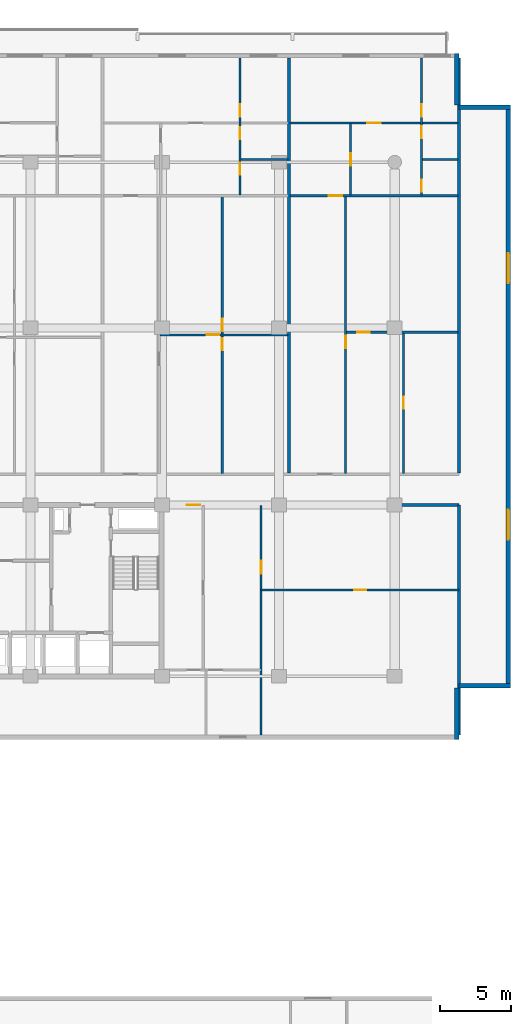
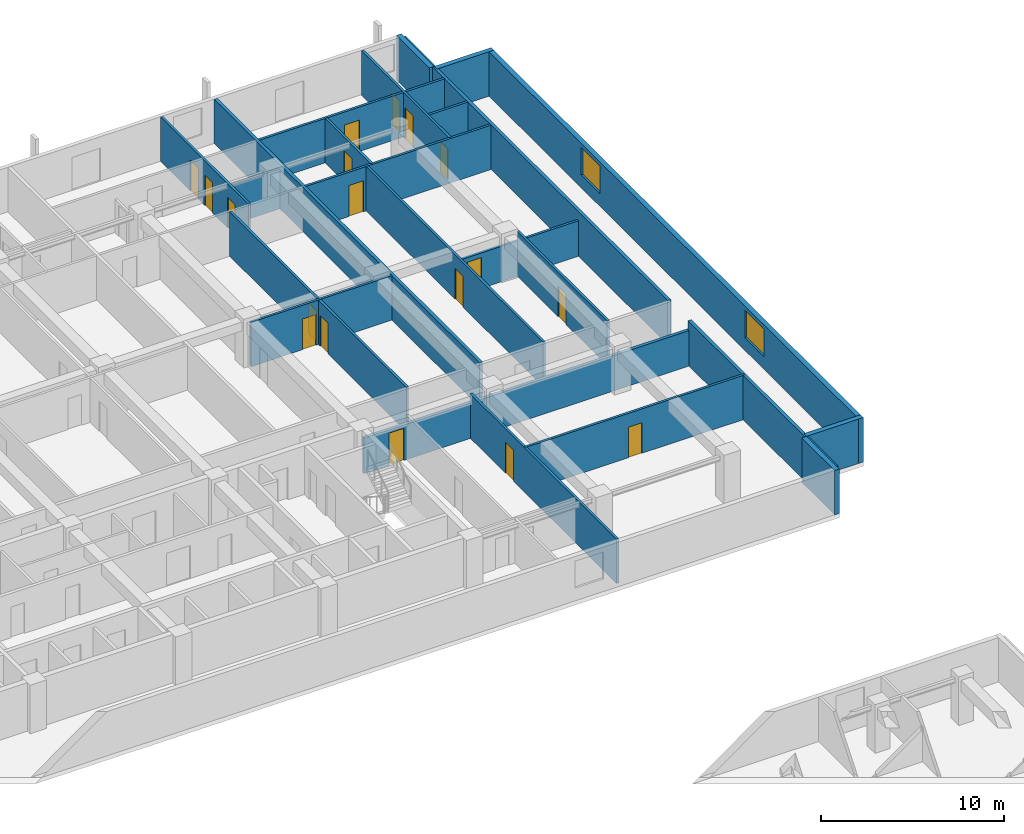
# One storey, part 17 of 23: 23 walls, 18 doors, 2 windows, 20 openings.
"""IFC4 building model written with IfcOpenShell, lengths in metres."""

from ifc_helpers import new_model, si_unit, direction, frame, frame_2d, origin, place, context, subcontext, project, spatial, rectangle, extrude, material, layer, layer_set, type_object, element, fill, save


model = new_model("IFC4")

# Units and contexts
model_context = context("Model", 3, precision=1e-05, world=origin(), true_north=direction((0.0, 1.0)))
body_context = subcontext(model_context, "Body", "Model", "MODEL_VIEW")
ifc_project = project(units=[si_unit("LENGTHUNIT", "METRE"), si_unit("AREAUNIT", "SQUARE_METRE"), si_unit("VOLUMEUNIT", "CUBIC_METRE"), si_unit("PLANEANGLEUNIT", "RADIAN"), si_unit("MASSUNIT", "GRAM", prefix="KILO")], contexts=[model_context])

# Site, building, storey
site_placement = place(None, origin())
site = spatial("IfcSite", under=ifc_project, at=site_placement, CompositionType="ELEMENT")
building_placement = place(site_placement, origin())
building = spatial("IfcBuilding", under=site, at=building_placement, Name="Korimba Cascade Residences", CompositionType="ELEMENT")
storey_placement = place(building_placement, frame((0.0, 0.0, 72.75)))
storey = spatial("IfcBuildingStorey", under=building, at=storey_placement, Name="L20", CompositionType="ELEMENT", Elevation=72.75)

# Walls
ifc_material_1 = material(Name="Precast concrete C40/50", Category="concrete")
ifc_layer_1 = layer(ifc_material_1, 0.300048828125)
ifc_layer_set_1 = layer_set([ifc_layer_1], Name="Precast concrete C40/50")
wall_type_1 = type_object("IfcWallType", Name="EW-STONE-300", PredefinedType="STANDARD", material=ifc_layer_set_1)
wall_1_placement = place(storey_placement, frame((132.75, 50.800048828125, 0.0), z_axis=(0.0, 0.0, 1.0), x_axis=(0.0, 1.0, 0.0)))
element("IfcWall", 1, at=wall_1_placement, inside=storey, type_object=wall_type_1, Name="L20 T1 Perimeter Stone Wall E01", PredefinedType="STANDARD", context=body_context, shape_type="SweptSolid", body=[
    extrude(rectangle(XDim=3.599853515625, YDim=0.300048828125, at=frame_2d((1.7998046875, 0.0))), origin(), (0.0, 0.0, 1.0), 2.969970703125),
])
wall_2_placement = place(storey_placement, frame((132.89990234375, 54.550048828125, 0.0), z_axis=(0.0, 0.0, 1.0), x_axis=(1.0, 0.0, 0.0)))
element("IfcWall", 2, at=wall_2_placement, inside=storey, type_object=wall_type_1, Name="L20 T1 Perimeter Stone Wall E02", PredefinedType="STANDARD", context=body_context, shape_type="SweptSolid", body=[
    extrude(rectangle(XDim=3.60009765625, YDim=0.300048828125, at=frame_2d((1.800048828125, 0.0))), origin(), (0.0, 0.0, 1.0), 2.969970703125),
])

# Wall, openings, windows
wall_3_placement = place(storey_placement, frame((136.35009765625, 54.39990234375, 0.0), z_axis=(0.0, 0.0, 1.0), x_axis=(0.0, 1.0, 0.0)))
wall_3 = element("IfcWall", 3, at=wall_3_placement, inside=storey, type_object=wall_type_1, Name="L20 T1 Perimeter Stone Wall E03", PredefinedType="STANDARD", context=body_context, shape_type="SweptSolid", body=[
    extrude(rectangle(XDim=40.800048828125, YDim=0.300048828125, at=frame_2d((20.39990234375, 0.0))), origin(), (0.0, 0.0, 1.0), 2.969970703125),
])
opening_1_placement = place(wall_3_placement, frame((10.3740234375, 0.0, 0.85009765625)))
opening_1 = element("IfcOpeningElement", 4, at=opening_1_placement, cuts=wall_3, Name="Opening W-03", PredefinedType="OPENING", context=body_context, shape_type="SweptSolid", body=[
    extrude(rectangle(XDim=2.10009765625, YDim=1.85009765625, at=frame_2d((1.050048828125, 0.925048828125))), frame((0.0, 0.16015625, 0.0), z_axis=(0.0, -1.0, 0.0), x_axis=(1.0, 0.0, 0.0)), (0.0, 0.0, 1.0), 0.320068359375),
])
opening_2_placement = place(wall_3_placement, frame((28.325927734375, 0.0, 0.85009765625)))
opening_2 = element("IfcOpeningElement", 5, at=opening_2_placement, cuts=wall_3, Name="Opening W-03", PredefinedType="OPENING", context=body_context, shape_type="SweptSolid", body=[
    extrude(rectangle(XDim=2.10009765625, YDim=1.85009765625, at=frame_2d((1.050048828125, 0.925048828125))), frame((0.0, 0.16015625, 0.0), z_axis=(0.0, -1.0, 0.0), x_axis=(1.0, 0.0, 0.0)), (0.0, 0.0, 1.0), 0.320068359375),
])
ifc_material_2 = material(Name="Double-Glazed Aluminium Window", Category="aluminium")
window_type = type_object("IfcWindowType", Name="WIN-CRN-2100", PartitioningType="DOUBLE_PANEL_HORIZONTAL", PredefinedType="WINDOW", material=ifc_material_2)
window_1_placement = place(opening_1_placement, origin())
window_1 = element("IfcWindow", 6, at=window_1_placement, inside=storey, type_object=window_type, Name="L20 T1 End View Window 3.1", OverallHeight=1.85009765625, OverallWidth=2.10009765625, PartitioningType="DOUBLE_PANEL_HORIZONTAL", PredefinedType="WINDOW", context=body_context, shape_type="SweptSolid", body=[
    extrude(rectangle(XDim=2.10009765625, YDim=1.85009765625, at=frame_2d((1.050048828125, 0.925048828125))), frame((0.0, 0.030029296875, 0.0), z_axis=(0.0, -1.0, 0.0), x_axis=(1.0, 0.0, 0.0)), (0.0, 0.0, 1.0), 0.06005859375),
])
fill(opening_1, window_1)
window_2_placement = place(opening_2_placement, origin())
window_2 = element("IfcWindow", 7, at=window_2_placement, inside=storey, type_object=window_type, Name="L20 T1 End View Window 3.2", OverallHeight=1.85009765625, OverallWidth=2.10009765625, PartitioningType="DOUBLE_PANEL_HORIZONTAL", PredefinedType="WINDOW", context=body_context, shape_type="SweptSolid", body=[
    extrude(rectangle(XDim=2.10009765625, YDim=1.85009765625, at=frame_2d((1.050048828125, 0.925048828125))), frame((0.0, 0.030029296875, 0.0), z_axis=(0.0, -1.0, 0.0), x_axis=(1.0, 0.0, 0.0)), (0.0, 0.0, 1.0), 0.06005859375),
])
fill(opening_2, window_2)

# Walls
for number, where, z_axis, x_axis, name in (
    (8, (136.5, 95.050048828125, 0.0), (0.0, 0.0, 1.0), (-1.0, 0.0, 0.0), "L20 T1 Perimeter Stone Wall E04"),
    (9, (132.75, 95.199951171875, 0.0), (0.0, 0.0, 1.0), (0.0, 1.0, 0.0), "L20 T1 Perimeter Stone Wall E05"),
):
    element("IfcWall", number, at=place(storey_placement, frame(where, z_axis=z_axis, x_axis=x_axis)), inside=storey, type_object=wall_type_1, Name=name, PredefinedType="STANDARD", context=body_context, shape_type="SweptSolid", body=[
        extrude(rectangle(XDim=3.60009765625, YDim=0.300048828125, at=frame_2d((1.800048828125, 0.0))), origin(), (0.0, 0.0, 1.0), 2.969970703125),
    ])
ifc_layer_2 = layer(ifc_material_1, 0.199951171875)
ifc_layer_set_2 = layer_set([ifc_layer_2], Name="Precast concrete C40/50")
wall_type_2 = type_object("IfcWallType", Name="WAL-IT-200", PredefinedType="PARTITIONING", material=ifc_layer_set_2)
wall_4_placement = place(storey_placement, frame((132.89990234375, 51.10009765625, 0.0), z_axis=(0.0, 0.0, 1.0), x_axis=(0.0, 1.0, 0.0)))
element("IfcWall", 10, at=wall_4_placement, inside=storey, type_object=wall_type_2, Name="L20 Partition Wall WAL-L20-T1-FE-WR", PredefinedType="PARTITIONING", context=body_context, shape_type="SweptSolid", body=[
    extrude(rectangle(XDim=16.099853515625, YDim=0.199951171875, at=frame_2d((8.0498046875, 0.0))), origin(), (0.0, 0.0, 1.0), 2.969970703125),
])

# Wall, opening, door
wall_5_placement = place(storey_placement, frame((112.25, 67.199951171875, 0.0), z_axis=(0.0, 0.0, 1.0), x_axis=(1.0, 0.0, 0.0)))
wall_5 = element("IfcWall", 11, at=wall_5_placement, inside=storey, type_object=wall_type_2, Name="L20 Partition Wall WAL-L20-T1-FE-N", PredefinedType="PARTITIONING", context=body_context, shape_type="SweptSolid", body=[
    extrude(rectangle(XDim=20.64990234375, YDim=0.199951171875, at=frame_2d((10.324951171875, 0.0))), origin(), (0.0, 0.0, 1.0), 2.3701171875),
])
opening_3_placement = place(wall_5_placement, frame((1.580078125, 0.0, 0.0)))
opening_3 = element("IfcOpeningElement", 12, at=opening_3_placement, cuts=wall_5, Name="Opening D-UN1", PredefinedType="OPENING", context=body_context, shape_type="SweptSolid", body=[
    extrude(rectangle(XDim=0.949951171875, YDim=2.14990234375, at=frame_2d((0.47509765625, 1.074951171875))), frame((0.0, 0.10986328125, 0.0), z_axis=(0.0, -1.0, 0.0), x_axis=(1.0, 0.0, 0.0)), (0.0, 0.0, 1.0), 0.219970703125),
])
ifc_material_3 = material(Name="Fire-Rated Hardwood Apartment Entrance Door", Category="wood")
door_type_1 = type_object("IfcDoorType", Name="DR-FD60-950", OperationType="NOTDEFINED", PredefinedType="DOOR", material=ifc_material_3)
door_1_placement = place(opening_3_placement, origin())
door_1 = element("IfcDoor", 13, at=door_1_placement, inside=storey, type_object=door_type_1, Name="L20-T1-FE Entrance Door", OperationType="SINGLE_SWING_RIGHT", OverallHeight=2.14990234375, OverallWidth=0.949951171875, PredefinedType="DOOR", context=body_context, shape_type="SweptSolid", body=[
    extrude(rectangle(XDim=0.949951171875, YDim=2.14990234375, at=frame_2d((0.47509765625, 1.074951171875))), frame((0.0, 0.02490234375, 0.0), z_axis=(0.0, -1.0, 0.0), x_axis=(1.0, 0.0, 0.0)), (0.0, 0.0, 1.0), 0.050048828125),
])
fill(opening_3, door_1)

# Walls
for number, where, z_axis, x_axis, name in (
    (14, (132.89990234375, 69.429931640625, 0.0), (0.0, 0.0, 1.0), (0.0, 1.0, 0.0), "L20 Partition Wall WAL-L20-T1-BNDWR"),
    (15, (120.99755859375, 69.429931640625, 0.0), (0.0, 0.0, 1.0), (0.0, 1.0, 0.0), "L20 Partition Wall WAL-L20-T1-DEM-4"),
):
    element("IfcWall", number, at=place(storey_placement, frame(where, z_axis=z_axis, x_axis=x_axis)), inside=storey, type_object=wall_type_2, Name=name, PredefinedType="PARTITIONING", context=body_context, shape_type="SweptSolid", body=[
        extrude(rectangle(XDim=29.070068359375, YDim=0.199951171875, at=frame_2d((14.53515625, 0.0))), origin(), (0.0, 0.0, 1.0), 2.969970703125),
    ])

# Wall, opening, door
ifc_material_4 = material(Name="Insulated Acoustic Stud Partition", Category="gypsum")
ifc_layer_3 = layer(ifc_material_4, 0.14990234375)
ifc_layer_set_3 = layer_set([ifc_layer_3], Name="Insulated Acoustic Stud Partition")
wall_type_3 = type_object("IfcWallType", Name="WAL-PART-150", PredefinedType="PARTITIONING", material=ifc_layer_set_3)
wall_6_placement = place(storey_placement, frame((119.050048828125, 61.25, 0.0), z_axis=(0.0, 0.0, 1.0), x_axis=(1.0, 0.0, 0.0)))
wall_6 = element("IfcWall", 16, at=wall_6_placement, inside=storey, type_object=wall_type_3, Name="L20 Partition Wall WAL-L20-T1-FE-STH", PredefinedType="PARTITIONING", context=body_context, shape_type="SweptSolid", body=[
    extrude(rectangle(XDim=13.849853515625, YDim=0.14990234375, at=frame_2d((6.9248046875, 0.0))), origin(), (0.0, 0.0, 1.0), 2.969970703125),
])
opening_4_placement = place(wall_6_placement, frame((6.5048828125, 0.0, 0.0)))
opening_4 = element("IfcOpeningElement", 17, at=opening_4_placement, cuts=wall_6, Name="Opening D-BT1", PredefinedType="OPENING", context=body_context, shape_type="SweptSolid", body=[
    extrude(rectangle(XDim=0.840087890625, YDim=2.0400390625, at=frame_2d((0.419921875, 1.02001953125))), frame((0.0, 0.0849609375, 0.0), z_axis=(0.0, -1.0, 0.0), x_axis=(1.0, 0.0, 0.0)), (0.0, 0.0, 1.0), 0.169921875),
])
ifc_material_5 = material(Name="Moisture-Resistant Bathroom Timber Door", Category="wood")
door_type_2 = type_object("IfcDoorType", Name="DR-INT-850", OperationType="NOTDEFINED", PredefinedType="DOOR", material=ifc_material_5)
door_2_placement = place(opening_4_placement, origin())
door_2 = element("IfcDoor", 18, at=door_2_placement, inside=storey, type_object=door_type_2, Name="L20-T1-FE Dressing Store Door", OperationType="SINGLE_SWING_LEFT", OverallHeight=2.0400390625, OverallWidth=0.840087890625, PredefinedType="DOOR", context=body_context, shape_type="SweptSolid", body=[
    extrude(rectangle(XDim=0.840087890625, YDim=2.0400390625, at=frame_2d((0.419921875, 1.02001953125))), frame((0.0, 0.02490234375, 0.0), z_axis=(0.0, -1.0, 0.0), x_axis=(1.0, 0.0, 0.0)), (0.0, 0.0, 1.0), 0.050048828125),
])
fill(opening_4, door_2)

wall_7_placement = place(storey_placement, frame((119.050048828125, 51.10009765625, 0.0), z_axis=(0.0, 0.0, 1.0), x_axis=(0.0, 1.0, 0.0)))
wall_7 = element("IfcWall", 19, at=wall_7_placement, inside=storey, type_object=wall_type_3, Name="L20 Partition Wall WAL-L20-T1-FE-STV", PredefinedType="PARTITIONING", context=body_context, shape_type="SweptSolid", body=[
    extrude(rectangle(XDim=16.0498046875, YDim=0.14990234375, at=frame_2d((8.02490234375, 0.0))), origin(), (0.0, 0.0, 1.0), 2.969970703125),
])
opening_5_placement = place(wall_7_placement, frame((11.300048828125, 0.0, 0.0)))
opening_5 = element("IfcOpeningElement", 20, at=opening_5_placement, cuts=wall_7, Name="Opening D-IN2", PredefinedType="OPENING", context=body_context, shape_type="SweptSolid", body=[
    extrude(rectangle(XDim=0.8798828125, YDim=2.06005859375, at=frame_2d((0.43994140625, 1.030029296875))), frame((0.0, 0.0849609375, 0.0), z_axis=(0.0, -1.0, 0.0), x_axis=(1.0, 0.0, 0.0)), (0.0, 0.0, 1.0), 0.169921875),
])
ifc_material_6 = material(Name="Acoustic Timber Bedroom Door", Category="wood")
door_type_3 = type_object("IfcDoorType", Name="DR-INT-880", OperationType="NOTDEFINED", PredefinedType="DOOR", material=ifc_material_6)
door_3_placement = place(opening_5_placement, origin())
door_3 = element("IfcDoor", 21, at=door_3_placement, inside=storey, type_object=door_type_3, Name="L20-T1-FE Study Door", OperationType="SINGLE_SWING_RIGHT", OverallHeight=2.06005859375, OverallWidth=0.8798828125, PredefinedType="DOOR", context=body_context, shape_type="SweptSolid", body=[
    extrude(rectangle(XDim=0.8798828125, YDim=2.06005859375, at=frame_2d((0.43994140625, 1.030029296875))), frame((0.0, 0.02490234375, 0.0), z_axis=(0.0, -1.0, 0.0), x_axis=(1.0, 0.0, 0.0)), (0.0, 0.0, 1.0), 0.050048828125),
])
fill(opening_5, door_3)

# Wall, openings, doors
wall_8_placement = place(storey_placement, frame((116.328125, 69.409912109375, 0.0), z_axis=(0.0, 0.0, 1.0), x_axis=(0.0, 1.0, 0.0)))
wall_8 = element("IfcWall", 22, at=wall_8_placement, inside=storey, type_object=wall_type_3, Name="L20 Partition Wall WAL-L20-T1-U04-FMV", PredefinedType="PARTITIONING", context=body_context, shape_type="SweptSolid", body=[
    extrude(rectangle(XDim=19.400146484375, YDim=0.14990234375, at=frame_2d((9.7001953125, 0.0))), origin(), (0.0, 0.0, 1.0), 2.969970703125),
])
opening_6_placement = place(wall_8_placement, frame((8.610107421875, 0.0, 0.0)))
opening_6 = element("IfcOpeningElement", 23, at=opening_6_placement, cuts=wall_8, Name="Opening D-BT1", PredefinedType="OPENING", context=body_context, shape_type="SweptSolid", body=[
    extrude(rectangle(XDim=0.840087890625, YDim=2.0400390625, at=frame_2d((0.419921875, 1.02001953125))), frame((0.0, 0.0849609375, 0.0), z_axis=(0.0, -1.0, 0.0), x_axis=(1.0, 0.0, 0.0)), (0.0, 0.0, 1.0), 0.169921875),
])
opening_7_placement = place(wall_8_placement, frame((9.949951171875, 0.0, 0.0)))
opening_7 = element("IfcOpeningElement", 24, at=opening_7_placement, cuts=wall_8, Name="Opening D-IN2", PredefinedType="OPENING", context=body_context, shape_type="SweptSolid", body=[
    extrude(rectangle(XDim=0.8798828125, YDim=2.06005859375, at=frame_2d((0.43994140625, 1.030029296875))), frame((0.0, 0.0849609375, 0.0), z_axis=(0.0, -1.0, 0.0), x_axis=(1.0, 0.0, 0.0)), (0.0, 0.0, 1.0), 0.169921875),
])
door_4_placement = place(opening_6_placement, origin())
door_4 = element("IfcDoor", 25, at=door_4_placement, inside=storey, type_object=door_type_2, Name="L20-T1-U04 Wardrobe Door", OperationType="SINGLE_SWING_RIGHT", OverallHeight=2.0400390625, OverallWidth=0.840087890625, PredefinedType="DOOR", context=body_context, shape_type="SweptSolid", body=[
    extrude(rectangle(XDim=0.840087890625, YDim=2.0400390625, at=frame_2d((0.419921875, 1.02001953125))), frame((0.0, 0.02490234375, 0.0), z_axis=(0.0, -1.0, 0.0), x_axis=(1.0, 0.0, 0.0)), (0.0, 0.0, 1.0), 0.050048828125),
])
fill(opening_6, door_4)
door_5_placement = place(opening_7_placement, origin())
door_5 = element("IfcDoor", 26, at=door_5_placement, inside=storey, type_object=door_type_3, Name="L20-T1-U04 Music Lounge Door", OperationType="SINGLE_SWING_LEFT", OverallHeight=2.06005859375, OverallWidth=0.8798828125, PredefinedType="DOOR", context=body_context, shape_type="SweptSolid", body=[
    extrude(rectangle(XDim=0.8798828125, YDim=2.06005859375, at=frame_2d((0.43994140625, 1.030029296875))), frame((0.0, 0.02490234375, 0.0), z_axis=(0.0, -1.0, 0.0), x_axis=(1.0, 0.0, 0.0)), (0.0, 0.0, 1.0), 0.050048828125),
])
fill(opening_7, door_5)

# Wall, opening, door
wall_9_placement = place(storey_placement, frame((111.978759765625, 79.110107421875, 0.0), z_axis=(0.0, 0.0, 1.0), x_axis=(1.0, 0.0, 0.0)))
wall_9 = element("IfcWall", 27, at=wall_9_placement, inside=storey, type_object=wall_type_3, Name="L20 Partition Wall WAL-L20-T1-U04-FMH", PredefinedType="PARTITIONING", context=body_context, shape_type="SweptSolid", body=[
    extrude(rectangle(XDim=8.938720703125, YDim=0.14990234375, at=frame_2d((4.46923828125, 0.0))), origin(), (0.0, 0.0, 1.0), 2.969970703125),
])
opening_8_placement = place(wall_9_placement, frame((3.24951171875, 0.0, 0.0)))
opening_8 = element("IfcOpeningElement", 28, at=opening_8_placement, cuts=wall_9, Name="Opening D-IN2", PredefinedType="OPENING", context=body_context, shape_type="SweptSolid", body=[
    extrude(rectangle(XDim=0.8798828125, YDim=2.06005859375, at=frame_2d((0.43994140625, 1.030029296875))), frame((0.0, 0.0849609375, 0.0), z_axis=(0.0, -1.0, 0.0), x_axis=(1.0, 0.0, 0.0)), (0.0, 0.0, 1.0), 0.169921875),
])
door_6_placement = place(opening_8_placement, origin())
door_6 = element("IfcDoor", 29, at=door_6_placement, inside=storey, type_object=door_type_3, Name="L20-T1-U04 Library Salon Door", OperationType="SINGLE_SWING_RIGHT", OverallHeight=2.06005859375, OverallWidth=0.8798828125, PredefinedType="DOOR", context=body_context, shape_type="SweptSolid", body=[
    extrude(rectangle(XDim=0.8798828125, YDim=2.06005859375, at=frame_2d((0.43994140625, 1.030029296875))), frame((0.0, 0.02490234375, 0.0), z_axis=(0.0, -1.0, 0.0), x_axis=(1.0, 0.0, 0.0)), (0.0, 0.0, 1.0), 0.050048828125),
])
fill(opening_8, door_6)

# Wall
wall_10_placement = place(storey_placement, frame((117.637451171875, 91.389892578125, 0.0), z_axis=(0.0, 0.0, 1.0), x_axis=(1.0, 0.0, 0.0)))
element("IfcWall", 30, at=wall_10_placement, inside=storey, type_object=wall_type_3, Name="L20 Partition Wall WAL-L20-T1-U04-BLDIV", PredefinedType="PARTITIONING", context=body_context, shape_type="SweptSolid", body=[
    extrude(rectangle(XDim=3.280029296875, YDim=0.14990234375, at=frame_2d((1.64013671875, 0.0))), origin(), (0.0, 0.0, 1.0), 2.663330078125),
])

# Wall, openings, doors
wall_11_placement = place(storey_placement, frame((117.577392578125, 88.889892578125, 0.0), z_axis=(0.0, 0.0, 1.0), x_axis=(0.0, 1.0, 0.0)))
wall_11 = element("IfcWall", 31, at=wall_11_placement, inside=storey, type_object=wall_type_3, Name="L20 Partition Wall WAL-L20-T1-U04-V1", PredefinedType="PARTITIONING", context=body_context, shape_type="SweptSolid", body=[
    extrude(rectangle(XDim=9.610107421875, YDim=0.14990234375, at=frame_2d((4.80517578125, 0.0))), origin(), (0.0, 0.0, 1.0), 2.969970703125),
])
opening_9_placement = place(wall_11_placement, frame((1.430419921875, 0.0, 0.0)))
opening_9 = element("IfcOpeningElement", 32, at=opening_9_placement, cuts=wall_11, Name="Opening D-BT1", PredefinedType="OPENING", context=body_context, shape_type="SweptSolid", body=[
    extrude(rectangle(XDim=0.840087890625, YDim=2.0400390625, at=frame_2d((0.419921875, 1.02001953125))), frame((0.0, 0.0849609375, 0.0), z_axis=(0.0, -1.0, 0.0), x_axis=(1.0, 0.0, 0.0)), (0.0, 0.0, 1.0), 0.169921875),
])
opening_10_placement = place(wall_11_placement, frame((3.919921875, 0.0, 0.0)))
opening_10 = element("IfcOpeningElement", 33, at=opening_10_placement, cuts=wall_11, Name="Opening D-BT1", PredefinedType="OPENING", context=body_context, shape_type="SweptSolid", body=[
    extrude(rectangle(XDim=0.840087890625, YDim=2.0400390625, at=frame_2d((0.419921875, 1.02001953125))), frame((0.0, 0.0849609375, 0.0), z_axis=(0.0, -1.0, 0.0), x_axis=(1.0, 0.0, 0.0)), (0.0, 0.0, 1.0), 0.169921875),
])
opening_11_placement = place(wall_11_placement, frame((5.47998046875, 0.0, 0.0)))
opening_11 = element("IfcOpeningElement", 34, at=opening_11_placement, cuts=wall_11, Name="Opening D-IN2", PredefinedType="OPENING", context=body_context, shape_type="SweptSolid", body=[
    extrude(rectangle(XDim=0.8798828125, YDim=2.06005859375, at=frame_2d((0.43994140625, 1.030029296875))), frame((0.0, 0.0849609375, 0.0), z_axis=(0.0, -1.0, 0.0), x_axis=(1.0, 0.0, 0.0)), (0.0, 0.0, 1.0), 0.169921875),
])
door_7_placement = place(opening_9_placement, origin())
door_7 = element("IfcDoor", 35, at=door_7_placement, inside=storey, type_object=door_type_2, Name="L20-T1-U04 Bathroom Door", OperationType="SINGLE_SWING_LEFT", OverallHeight=2.0400390625, OverallWidth=0.840087890625, PredefinedType="DOOR", context=body_context, shape_type="SweptSolid", body=[
    extrude(rectangle(XDim=0.840087890625, YDim=2.0400390625, at=frame_2d((0.419921875, 1.02001953125))), frame((0.0, 0.02490234375, 0.0), z_axis=(0.0, -1.0, 0.0), x_axis=(1.0, 0.0, 0.0)), (0.0, 0.0, 1.0), 0.050048828125),
])
fill(opening_9, door_7)
door_8_placement = place(opening_10_placement, origin())
door_8 = element("IfcDoor", 36, at=door_8_placement, inside=storey, type_object=door_type_2, Name="L20-T1-U04 Laundry Door", OperationType="SINGLE_SWING_RIGHT", OverallHeight=2.0400390625, OverallWidth=0.840087890625, PredefinedType="DOOR", context=body_context, shape_type="SweptSolid", body=[
    extrude(rectangle(XDim=0.840087890625, YDim=2.0400390625, at=frame_2d((0.419921875, 1.02001953125))), frame((0.0, 0.02490234375, 0.0), z_axis=(0.0, -1.0, 0.0), x_axis=(1.0, 0.0, 0.0)), (0.0, 0.0, 1.0), 0.050048828125),
])
fill(opening_10, door_8)
door_9_placement = place(opening_11_placement, origin())
door_9 = element("IfcDoor", 37, at=door_9_placement, inside=storey, type_object=door_type_3, Name="L20-T1-U04 Bedroom 1 Door", OperationType="SINGLE_SWING_LEFT", OverallHeight=2.06005859375, OverallWidth=0.8798828125, PredefinedType="DOOR", context=body_context, shape_type="SweptSolid", body=[
    extrude(rectangle(XDim=0.8798828125, YDim=2.06005859375, at=frame_2d((0.43994140625, 1.030029296875))), frame((0.0, 0.02490234375, 0.0), z_axis=(0.0, -1.0, 0.0), x_axis=(1.0, 0.0, 0.0)), (0.0, 0.0, 1.0), 0.050048828125),
])
fill(opening_11, door_9)

# Wall, opening, door
wall_12_placement = place(storey_placement, frame((129.023681640625, 69.409912109375, 0.0), z_axis=(0.0, 0.0, 1.0), x_axis=(0.0, 1.0, 0.0)))
wall_12 = element("IfcWall", 38, at=wall_12_placement, inside=storey, type_object=wall_type_3, Name="L20 Partition Wall WAL-L20-T1-U05-FMV", PredefinedType="PARTITIONING", context=body_context, shape_type="SweptSolid", body=[
    extrude(rectangle(XDim=9.880126953125, YDim=0.14990234375, at=frame_2d((4.93994140625, 0.0))), origin(), (0.0, 0.0, 1.0), 2.969970703125),
])
opening_12_placement = place(wall_12_placement, frame((4.52001953125, 0.0, 0.0)))
opening_12 = element("IfcOpeningElement", 39, at=opening_12_placement, cuts=wall_12, Name="Opening D-BT1", PredefinedType="OPENING", context=body_context, shape_type="SweptSolid", body=[
    extrude(rectangle(XDim=0.840087890625, YDim=2.0400390625, at=frame_2d((0.419921875, 1.02001953125))), frame((0.0, 0.0849609375, 0.0), z_axis=(0.0, -1.0, 0.0), x_axis=(1.0, 0.0, 0.0)), (0.0, 0.0, 1.0), 0.169921875),
])
door_10_placement = place(opening_12_placement, origin())
door_10 = element("IfcDoor", 40, at=door_10_placement, inside=storey, type_object=door_type_2, Name="L20-T1-U05 Wardrobe Door", OperationType="SINGLE_SWING_RIGHT", OverallHeight=2.0400390625, OverallWidth=0.840087890625, PredefinedType="DOOR", context=body_context, shape_type="SweptSolid", body=[
    extrude(rectangle(XDim=0.840087890625, YDim=2.0400390625, at=frame_2d((0.419921875, 1.02001953125))), frame((0.0, 0.02490234375, 0.0), z_axis=(0.0, -1.0, 0.0), x_axis=(1.0, 0.0, 0.0)), (0.0, 0.0, 1.0), 0.050048828125),
])
fill(opening_12, door_10)

wall_13_placement = place(storey_placement, frame((125.027587890625, 79.2900390625, 0.0), z_axis=(0.0, 0.0, 1.0), x_axis=(1.0, 0.0, 0.0)))
wall_13 = element("IfcWall", 41, at=wall_13_placement, inside=storey, type_object=wall_type_3, Name="L20 Partition Wall WAL-L20-T1-U05-FMH", PredefinedType="PARTITIONING", context=body_context, shape_type="SweptSolid", body=[
    extrude(rectangle(XDim=7.79248046875, YDim=0.14990234375, at=frame_2d((3.896240234375, 0.0))), origin(), (0.0, 0.0, 1.0), 2.3701171875),
])
opening_13_placement = place(wall_13_placement, frame((0.75732421875, 0.0, 0.0)))
opening_13 = element("IfcOpeningElement", 42, at=opening_13_placement, cuts=wall_13, Name="Opening D-IN2", PredefinedType="OPENING", context=body_context, shape_type="SweptSolid", body=[
    extrude(rectangle(XDim=0.8798828125, YDim=2.06005859375, at=frame_2d((0.43994140625, 1.030029296875))), frame((0.0, 0.0849609375, 0.0), z_axis=(0.0, -1.0, 0.0), x_axis=(1.0, 0.0, 0.0)), (0.0, 0.0, 1.0), 0.169921875),
])
door_11_placement = place(opening_13_placement, origin())
door_11 = element("IfcDoor", 43, at=door_11_placement, inside=storey, type_object=door_type_3, Name="L20-T1-U05 Library Salon Door", OperationType="SINGLE_SWING_LEFT", OverallHeight=2.06005859375, OverallWidth=0.8798828125, PredefinedType="DOOR", context=body_context, shape_type="SweptSolid", body=[
    extrude(rectangle(XDim=0.8798828125, YDim=2.06005859375, at=frame_2d((0.43994140625, 1.030029296875))), frame((0.0, 0.02490234375, 0.0), z_axis=(0.0, -1.0, 0.0), x_axis=(1.0, 0.0, 0.0)), (0.0, 0.0, 1.0), 0.050048828125),
])
fill(opening_13, door_11)

wall_14_placement = place(storey_placement, frame((124.967529296875, 69.409912109375, 0.0), z_axis=(0.0, 0.0, 1.0), x_axis=(0.0, 1.0, 0.0)))
wall_14 = element("IfcWall", 44, at=wall_14_placement, inside=storey, type_object=wall_type_3, Name="L20 Partition Wall WAL-L20-T1-U05-FV", PredefinedType="PARTITIONING", context=body_context, shape_type="SweptSolid", body=[
    extrude(rectangle(XDim=19.400146484375, YDim=0.14990234375, at=frame_2d((9.7001953125, 0.0))), origin(), (0.0, 0.0, 1.0), 2.969970703125),
])
opening_14_placement = place(wall_14_placement, frame((8.75, 0.0, 0.0)))
opening_14 = element("IfcOpeningElement", 45, at=opening_14_placement, cuts=wall_14, Name="Opening D-IN2", PredefinedType="OPENING", context=body_context, shape_type="SweptSolid", body=[
    extrude(rectangle(XDim=0.8798828125, YDim=2.06005859375, at=frame_2d((0.43994140625, 1.030029296875))), frame((0.0, 0.0849609375, 0.0), z_axis=(0.0, -1.0, 0.0), x_axis=(1.0, 0.0, 0.0)), (0.0, 0.0, 1.0), 0.169921875),
])
door_12_placement = place(opening_14_placement, origin())
door_12 = element("IfcDoor", 46, at=door_12_placement, inside=storey, type_object=door_type_3, Name="L20-T1-U05 Media Lounge Door", OperationType="SINGLE_SWING_RIGHT", OverallHeight=2.06005859375, OverallWidth=0.8798828125, PredefinedType="DOOR", context=body_context, shape_type="SweptSolid", body=[
    extrude(rectangle(XDim=0.8798828125, YDim=2.06005859375, at=frame_2d((0.43994140625, 1.030029296875))), frame((0.0, 0.02490234375, 0.0), z_axis=(0.0, -1.0, 0.0), x_axis=(1.0, 0.0, 0.0)), (0.0, 0.0, 1.0), 0.050048828125),
])
fill(opening_14, door_12)

wall_15_placement = place(storey_placement, frame((125.3173828125, 88.889892578125, 0.0), z_axis=(0.0, 0.0, 1.0), x_axis=(0.0, 1.0, 0.0)))
wall_15 = element("IfcWall", 47, at=wall_15_placement, inside=storey, type_object=wall_type_3, Name="L20 Partition Wall WAL-L20-T1-U05-VDIN", PredefinedType="PARTITIONING", context=body_context, shape_type="SweptSolid", body=[
    extrude(rectangle(XDim=5.0, YDim=0.14990234375, at=frame_2d((2.5, 0.0))), origin(), (0.0, 0.0, 1.0), 2.969970703125),
])
opening_15_placement = place(wall_15_placement, frame((2.06005859375, 0.0, 0.0)))
opening_15 = element("IfcOpeningElement", 48, at=opening_15_placement, cuts=wall_15, Name="Opening D-IN2", PredefinedType="OPENING", context=body_context, shape_type="SweptSolid", body=[
    extrude(rectangle(XDim=0.8798828125, YDim=2.06005859375, at=frame_2d((0.43994140625, 1.030029296875))), frame((0.0, 0.0849609375, 0.0), z_axis=(0.0, -1.0, 0.0), x_axis=(1.0, 0.0, 0.0)), (0.0, 0.0, 1.0), 0.169921875),
])
door_13_placement = place(opening_15_placement, origin())
door_13 = element("IfcDoor", 49, at=door_13_placement, inside=storey, type_object=door_type_3, Name="L20-T1-U05 Dining Room Door", OperationType="SINGLE_SWING_LEFT", OverallHeight=2.06005859375, OverallWidth=0.8798828125, PredefinedType="DOOR", context=body_context, shape_type="SweptSolid", body=[
    extrude(rectangle(XDim=0.8798828125, YDim=2.06005859375, at=frame_2d((0.43994140625, 1.030029296875))), frame((0.0, 0.02490234375, 0.0), z_axis=(0.0, -1.0, 0.0), x_axis=(1.0, 0.0, 0.0)), (0.0, 0.0, 1.0), 0.050048828125),
])
fill(opening_15, door_13)

# Wall
wall_16_placement = place(storey_placement, frame((130.340087890625, 91.389892578125, 0.0), z_axis=(0.0, 0.0, 1.0), x_axis=(1.0, 0.0, 0.0)))
element("IfcWall", 50, at=wall_16_placement, inside=storey, type_object=wall_type_3, Name="L20 Partition Wall WAL-L20-T1-U05-BLDIV", PredefinedType="PARTITIONING", context=body_context, shape_type="SweptSolid", body=[
    extrude(rectangle(XDim=2.47998046875, YDim=0.14990234375, at=frame_2d((1.239990234375, 0.0))), origin(), (0.0, 0.0, 1.0), 2.969970703125),
])

# Wall, openings, doors
wall_17_placement = place(storey_placement, frame((130.280029296875, 88.889892578125, 0.0), z_axis=(0.0, 0.0, 1.0), x_axis=(0.0, 1.0, 0.0)))
wall_17 = element("IfcWall", 51, at=wall_17_placement, inside=storey, type_object=wall_type_3, Name="L20 Partition Wall WAL-L20-T1-U05-V1", PredefinedType="PARTITIONING", context=body_context, shape_type="SweptSolid", body=[
    extrude(rectangle(XDim=9.610107421875, YDim=0.14990234375, at=frame_2d((4.80517578125, 0.0))), origin(), (0.0, 0.0, 1.0), 2.969970703125),
])
opening_16_placement = place(wall_17_placement, frame((0.239990234375, 0.0, 0.0)))
opening_16 = element("IfcOpeningElement", 52, at=opening_16_placement, cuts=wall_17, Name="Opening D-BT1", PredefinedType="OPENING", context=body_context, shape_type="SweptSolid", body=[
    extrude(rectangle(XDim=0.840087890625, YDim=2.0400390625, at=frame_2d((0.419921875, 1.02001953125))), frame((0.0, 0.0849609375, 0.0), z_axis=(0.0, -1.0, 0.0), x_axis=(1.0, 0.0, 0.0)), (0.0, 0.0, 1.0), 0.169921875),
])
opening_17_placement = place(wall_17_placement, frame((3.966552734375, 0.0, 0.0)))
opening_17 = element("IfcOpeningElement", 53, at=opening_17_placement, cuts=wall_17, Name="Opening D-BT1", PredefinedType="OPENING", context=body_context, shape_type="SweptSolid", body=[
    extrude(rectangle(XDim=0.840087890625, YDim=2.0400390625, at=frame_2d((0.419921875, 1.02001953125))), frame((0.0, 0.0849609375, 0.0), z_axis=(0.0, -1.0, 0.0), x_axis=(1.0, 0.0, 0.0)), (0.0, 0.0, 1.0), 0.169921875),
])
opening_18_placement = place(wall_17_placement, frame((5.47998046875, 0.0, 0.0)))
opening_18 = element("IfcOpeningElement", 54, at=opening_18_placement, cuts=wall_17, Name="Opening D-IN2", PredefinedType="OPENING", context=body_context, shape_type="SweptSolid", body=[
    extrude(rectangle(XDim=0.8798828125, YDim=2.06005859375, at=frame_2d((0.43994140625, 1.030029296875))), frame((0.0, 0.0849609375, 0.0), z_axis=(0.0, -1.0, 0.0), x_axis=(1.0, 0.0, 0.0)), (0.0, 0.0, 1.0), 0.169921875),
])
door_14_placement = place(opening_16_placement, origin())
door_14 = element("IfcDoor", 55, at=door_14_placement, inside=storey, type_object=door_type_2, Name="L20-T1-U05 Bathroom Door", OperationType="SINGLE_SWING_RIGHT", OverallHeight=2.0400390625, OverallWidth=0.840087890625, PredefinedType="DOOR", context=body_context, shape_type="SweptSolid", body=[
    extrude(rectangle(XDim=0.840087890625, YDim=2.0400390625, at=frame_2d((0.419921875, 1.02001953125))), frame((0.0, 0.02490234375, 0.0), z_axis=(0.0, -1.0, 0.0), x_axis=(1.0, 0.0, 0.0)), (0.0, 0.0, 1.0), 0.050048828125),
])
fill(opening_16, door_14)
door_15_placement = place(opening_17_placement, origin())
door_15 = element("IfcDoor", 56, at=door_15_placement, inside=storey, type_object=door_type_2, Name="L20-T1-U05 Laundry Door", OperationType="SINGLE_SWING_LEFT", OverallHeight=2.0400390625, OverallWidth=0.840087890625, PredefinedType="DOOR", context=body_context, shape_type="SweptSolid", body=[
    extrude(rectangle(XDim=0.840087890625, YDim=2.0400390625, at=frame_2d((0.419921875, 1.02001953125))), frame((0.0, 0.02490234375, 0.0), z_axis=(0.0, -1.0, 0.0), x_axis=(1.0, 0.0, 0.0)), (0.0, 0.0, 1.0), 0.050048828125),
])
fill(opening_17, door_15)
door_16_placement = place(opening_18_placement, origin())
door_16 = element("IfcDoor", 57, at=door_16_placement, inside=storey, type_object=door_type_3, Name="L20-T1-U05 Bedroom 1 Door", OperationType="SINGLE_SWING_RIGHT", OverallHeight=2.06005859375, OverallWidth=0.8798828125, PredefinedType="DOOR", context=body_context, shape_type="SweptSolid", body=[
    extrude(rectangle(XDim=0.8798828125, YDim=2.06005859375, at=frame_2d((0.43994140625, 1.030029296875))), frame((0.0, 0.02490234375, 0.0), z_axis=(0.0, -1.0, 0.0), x_axis=(1.0, 0.0, 0.0)), (0.0, 0.0, 1.0), 0.050048828125),
])
fill(opening_18, door_16)

# Wall, opening, door
wall_18_placement = place(storey_placement, frame((121.077392578125, 88.85009765625, 0.0), z_axis=(0.0, 0.0, 1.0), x_axis=(1.0, 0.0, 0.0)))
wall_18 = element("IfcWall", 58, at=wall_18_placement, inside=storey, type_object=wall_type_3, Name="L20 Partition Wall WAL-L20-T1-U05-MW", PredefinedType="PARTITIONING", context=body_context, shape_type="SweptSolid", body=[
    extrude(rectangle(XDim=11.74267578125, YDim=0.14990234375, at=frame_2d((5.871337890625, 0.0))), origin(), (0.0, 0.0, 1.0), 2.969970703125),
])
opening_19_placement = place(wall_18_placement, frame((2.719970703125, 0.0, 0.0)))
opening_19 = element("IfcOpeningElement", 59, at=opening_19_placement, cuts=wall_18, Name="Opening D-IN1", PredefinedType="OPENING", context=body_context, shape_type="SweptSolid", body=[
    extrude(rectangle(XDim=0.919921875, YDim=2.080078125, at=frame_2d((0.4599609375, 1.0400390625))), frame((0.0, 0.0849609375, 0.0), z_axis=(0.0, -1.0, 0.0), x_axis=(1.0, 0.0, 0.0)), (0.0, 0.0, 1.0), 0.169921875),
])
ifc_material_7 = material(Name="Acoustic Timber Living Door", Category="wood")
door_type_4 = type_object("IfcDoorType", Name="DR-INT-920", OperationType="NOTDEFINED", PredefinedType="DOOR", material=ifc_material_7)
door_17_placement = place(opening_19_placement, origin())
door_17 = element("IfcDoor", 60, at=door_17_placement, inside=storey, type_object=door_type_4, Name="L20-T1-U05 Kitchen Archway Door", OperationType="SINGLE_SWING_LEFT", OverallHeight=2.080078125, OverallWidth=0.919921875, PredefinedType="DOOR", context=body_context, shape_type="SweptSolid", body=[
    extrude(rectangle(XDim=0.919921875, YDim=2.080078125, at=frame_2d((0.4599609375, 1.0400390625))), frame((0.0, 0.02490234375, 0.0), z_axis=(0.0, -1.0, 0.0), x_axis=(1.0, 0.0, 0.0)), (0.0, 0.0, 1.0), 0.050048828125),
])
fill(opening_19, door_17)

wall_19_placement = place(storey_placement, frame((121.077392578125, 93.949951171875, 0.0), z_axis=(0.0, 0.0, 1.0), x_axis=(1.0, 0.0, 0.0)))
wall_19 = element("IfcWall", 61, at=wall_19_placement, inside=storey, type_object=wall_type_3, Name="L20 Partition Wall WAL-L20-T1-U05-HZ", PredefinedType="PARTITIONING", context=body_context, shape_type="SweptSolid", body=[
    extrude(rectangle(XDim=11.74267578125, YDim=0.14990234375, at=frame_2d((5.871337890625, 0.0))), origin(), (0.0, 0.0, 1.0), 2.969970703125),
])
opening_20_placement = place(wall_19_placement, frame((5.401123046875, 0.0, 0.0)))
opening_20 = element("IfcOpeningElement", 62, at=opening_20_placement, cuts=wall_19, Name="Opening D-IN0", PredefinedType="OPENING", context=body_context, shape_type="SweptSolid", body=[
    extrude(rectangle(XDim=0.93994140625, YDim=2.10009765625, at=frame_2d((0.469970703125, 1.050048828125))), frame((0.0, 0.0849609375, 0.0), z_axis=(0.0, -1.0, 0.0), x_axis=(1.0, 0.0, 0.0)), (0.0, 0.0, 1.0), 0.169921875),
])
ifc_material_8 = material(Name="Acoustic Timber Living Archway Door", Category="wood")
door_type_5 = type_object("IfcDoorType", Name="DR-INT-950", OperationType="NOTDEFINED", PredefinedType="DOOR", material=ifc_material_8)
door_18_placement = place(opening_20_placement, origin())
door_18 = element("IfcDoor", 63, at=door_18_placement, inside=storey, type_object=door_type_5, Name="L20-T1-U05 Living Archway Door", OperationType="SINGLE_SWING_RIGHT", OverallHeight=2.10009765625, OverallWidth=0.93994140625, PredefinedType="DOOR", context=body_context, shape_type="SweptSolid", body=[
    extrude(rectangle(XDim=0.93994140625, YDim=2.10009765625, at=frame_2d((0.469970703125, 1.050048828125))), frame((0.0, 0.02490234375, 0.0), z_axis=(0.0, -1.0, 0.0), x_axis=(1.0, 0.0, 0.0)), (0.0, 0.0, 1.0), 0.050048828125),
])
fill(opening_20, door_18)

save(model, "model.ifc")
